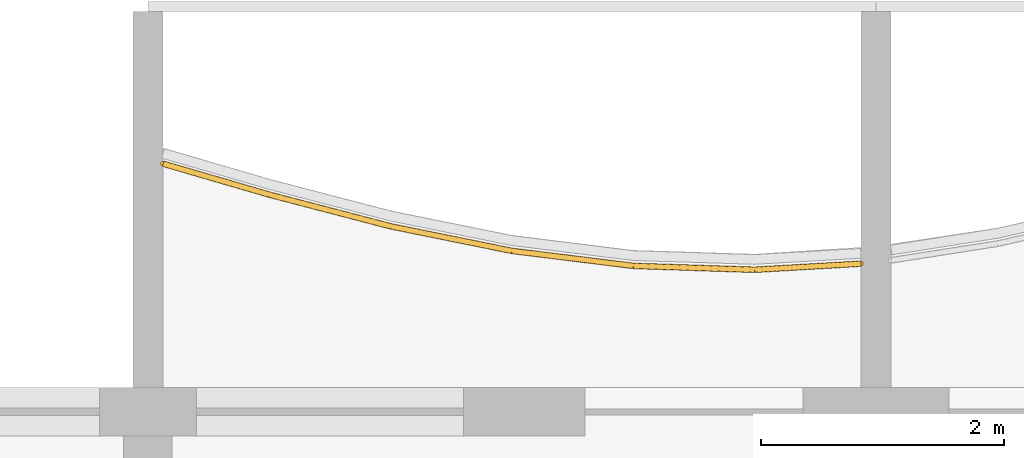
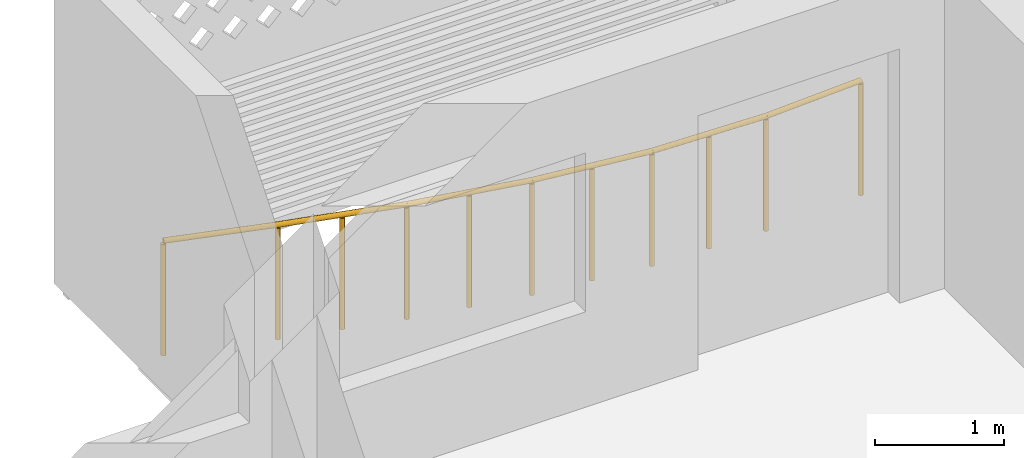
# One storey, part 41 of 44: 1 railing.
"""IFC4 building model written with IfcOpenShell, lengths in metres."""

from ifc_helpers import new_model, si_unit, direction, frame, origin, origin_2d, place, context, subcontext, project, spatial, circle, extrude, material, type_object, element, save


model = new_model("IFC4")

# Units and contexts
model_context = context("Model", 3, precision=1e-05, world=origin(), true_north=direction((0.0, 1.0)))
body_context = subcontext(model_context, "Body", "Model", "MODEL_VIEW")
ifc_project = project(units=[si_unit("LENGTHUNIT", "METRE"), si_unit("AREAUNIT", "SQUARE_METRE"), si_unit("VOLUMEUNIT", "CUBIC_METRE"), si_unit("PLANEANGLEUNIT", "RADIAN"), si_unit("MASSUNIT", "GRAM", prefix="KILO")], contexts=[model_context])

# Site, building, storey
site_placement = place(None, origin())
site = spatial("IfcSite", under=ifc_project, at=site_placement, CompositionType="ELEMENT")
building_placement = place(site_placement, origin())
building = spatial("IfcBuilding", under=site, at=building_placement, Name="Poui Terraces", CompositionType="ELEMENT")
storey_placement = place(building_placement, frame((0.0, 0.0, 26.699951171875)))
storey = spatial("IfcBuildingStorey", under=building, at=storey_placement, Name="L06", CompositionType="ELEMENT", Elevation=26.699951171875)

# Railing
ifc_material = material(Name="Painted steel fretwork", Category="steel")
railing_type = type_object("IfcRailingType", Name="BALCONY GUARD 1100", PredefinedType="GUARDRAIL", material=ifc_material)
railing_placement = place(storey_placement, frame((84.125, 46.84521484375, 0.0)))
element("IfcRailing", 1, at=railing_placement, inside=storey, type_object=railing_type, Name="BALCONY GUARD", PredefinedType="GUARDRAIL", context=body_context, shape_type="SweptSolid", body=[
    extrude(circle(Radius=0.02392578125, at=origin_2d()), frame((0.0, 0.0, 1.076171875), z_axis=(0.96009595316, -0.279670807784, 0.0), x_axis=(0.279670807784, 0.96009595316, 0.0)), (0.0, 0.0, 1.0), 0.911376953125),
    extrude(circle(Radius=0.02392578125, at=origin_2d()), frame((0.875, -0.2548828125, 1.076171875), z_axis=(0.967589671846, -0.252527675587, 0.0), x_axis=(0.252527675587, 0.967589671846, 0.0)), (0.0, 0.0, 1.0), 1.033447265625),
    extrude(circle(Radius=0.02392578125, at=origin_2d()), frame((1.875, -0.515869140625, 1.076171875), z_axis=(0.980080566497, -0.198600310106, 0.0), x_axis=(0.198600310106, 0.980080566497, 0.0)), (0.0, 0.0, 1.0), 1.020263671875),
    extrude(circle(Radius=0.02392578125, at=origin_2d()), frame((2.875, -0.718505859375, 1.076171875), z_axis=(0.992455772574, -0.122603178936, 0.0), x_axis=(0.122603178936, 0.992455772574, 0.0)), (0.0, 0.0, 1.0), 1.007568359375),
    extrude(circle(Radius=0.02392578125, at=origin_2d()), frame((3.875, -0.842041015625, 1.076171875), z_axis=(0.999488954364, -0.031966077398, 0.0), x_axis=(0.031966077398, 0.999488954364, 0.0)), (0.0, 0.0, 1.0), 1.00048828125),
    extrude(circle(Radius=0.02392578125, at=origin_2d()), frame((4.875, -0.8740234375, 1.076171875), z_axis=(0.998352239869, 0.057382969144, 0.0), x_axis=(-0.057382969144, 0.998352239869, 0.0)), (0.0, 0.0, 1.0), 0.87646484375),
    extrude(circle(Radius=0.02099609375, at=origin_2d()), origin(), (0.0, 0.0, 1.0), 1.052001953125),
    extrude(circle(Radius=0.02099609375, at=origin_2d()), frame((0.875, -0.2548828125, 0.0)), (0.0, 0.0, 1.0), 1.052001953125),
    extrude(circle(Radius=0.02099609375, at=origin_2d()), frame((1.375, -0.38525390625, 0.0)), (0.0, 0.0, 1.0), 1.052001953125),
    extrude(circle(Radius=0.02099609375, at=origin_2d()), frame((1.875, -0.515869140625, 0.0)), (0.0, 0.0, 1.0), 1.052001953125),
    extrude(circle(Radius=0.02099609375, at=origin_2d()), frame((2.375, -0.6171875, 0.0)), (0.0, 0.0, 1.0), 1.052001953125),
    extrude(circle(Radius=0.02099609375, at=origin_2d()), frame((2.875, -0.718505859375, 0.0)), (0.0, 0.0, 1.0), 1.052001953125),
    extrude(circle(Radius=0.02099609375, at=origin_2d()), frame((3.375, -0.7802734375, 0.0)), (0.0, 0.0, 1.0), 1.052001953125),
    extrude(circle(Radius=0.02099609375, at=origin_2d()), frame((3.875, -0.842041015625, 0.0)), (0.0, 0.0, 1.0), 1.052001953125),
    extrude(circle(Radius=0.02099609375, at=origin_2d()), frame((4.375, -0.85791015625, 0.0)), (0.0, 0.0, 1.0), 1.052001953125),
    extrude(circle(Radius=0.02099609375, at=origin_2d()), frame((4.875, -0.8740234375, 0.0)), (0.0, 0.0, 1.0), 1.052001953125),
    extrude(circle(Radius=0.02099609375, at=origin_2d()), frame((5.75, -0.82373046875, 0.0)), (0.0, 0.0, 1.0), 1.052001953125),
])

save(model, "model.ifc")
